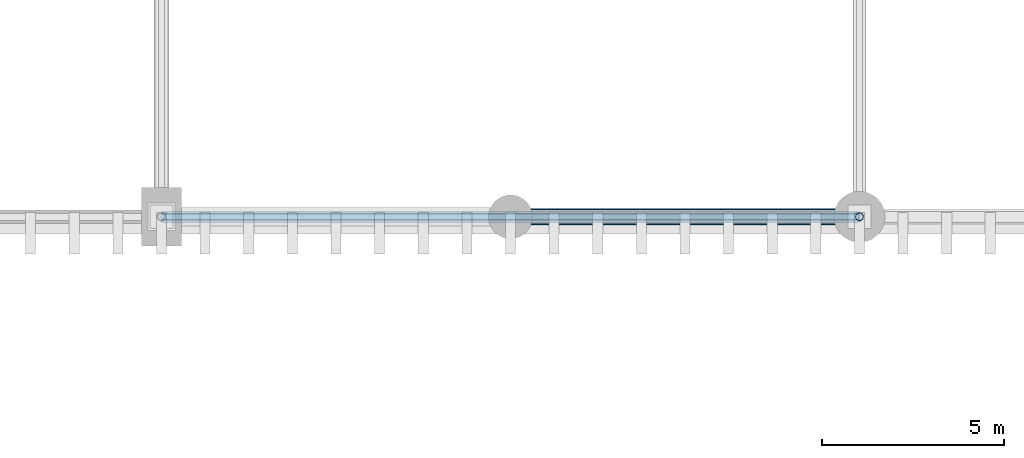
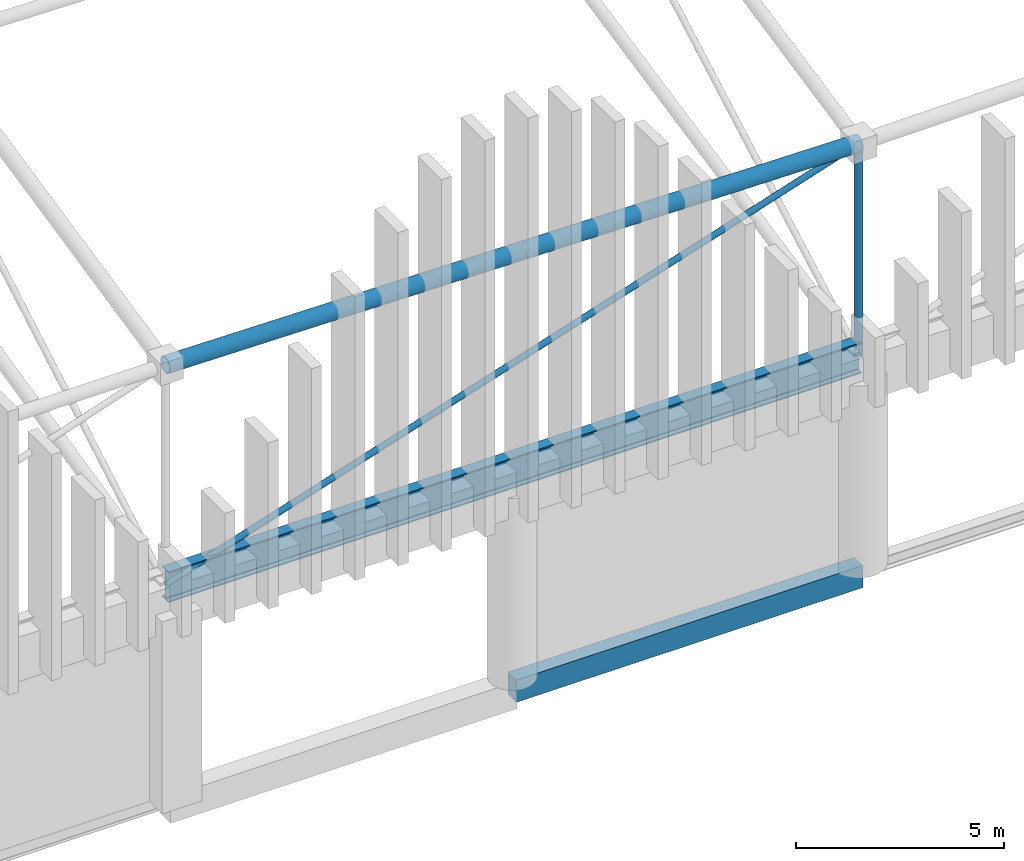
# One storey, part 35 of 193: 3 members, 2 beams.
"""IFC4 building model written with IfcOpenShell, lengths in metres."""

from ifc_helpers import new_model, si_unit, direction, frame, origin, origin_2d, place, context, subcontext, project, spatial, rectangle, hollow_circle, i_section, extrude, material, material_profile, profile_set, type_object, element, save


model = new_model("IFC4")

# Units and contexts
model_context = context("Model", 3, precision=1e-05, world=origin(), true_north=direction((0.0, 1.0)))
body_context = subcontext(model_context, "Body", "Model", "MODEL_VIEW")
ifc_project = project(units=[si_unit("LENGTHUNIT", "METRE"), si_unit("AREAUNIT", "SQUARE_METRE"), si_unit("VOLUMEUNIT", "CUBIC_METRE"), si_unit("PLANEANGLEUNIT", "RADIAN"), si_unit("MASSUNIT", "GRAM", prefix="KILO")], contexts=[model_context])

# Site, building, storey
site_placement = place(None, origin())
site = spatial("IfcSite", under=ifc_project, at=site_placement, CompositionType="ELEMENT")
building_placement = place(site_placement, origin())
building = spatial("IfcBuilding", under=site, at=building_placement, Name="Danafjord Basin Convention Centre", CompositionType="ELEMENT")
storey_placement = place(building_placement, frame((0.0, 0.0, 11.39990234375)))
storey = spatial("IfcBuildingStorey", under=building, at=storey_placement, Name="L02", CompositionType="ELEMENT", Elevation=11.39990234375)

# Beams
ifc_material_1 = material(Name="Steel S355", Category="steel")
ifc_material_profile_1 = material_profile(ifc_material_1, i_section(OverallWidth=0.300048828125, OverallDepth=0.89990234375, WebThickness=0.0185546875, FlangeThickness=0.034912109375, FilletRadius=0.030029296875, at=origin_2d()), Name="HEB 900")
ifc_profile_set_1 = profile_set([ifc_material_profile_1], Name="Steel S355")
beam_type_1 = type_object("IfcBeamType", Name="BEAM-BM-HEB900", PredefinedType="BEAM", material=ifc_profile_set_1)
beam_1_placement = place(storey_placement, frame((38.39990234375, 56.0, 6.050048828125), z_axis=(1.0, 0.0, 0.0), x_axis=(0.0, 1.0, 0.0)))
element("IfcBeam", 1, at=beam_1_placement, inside=storey, type_object=beam_type_1, Name="V1 space-frame perimeter ring girder", PredefinedType="BEAM", context=body_context, shape_type="SweptSolid", body=[
    extrude(i_section(OverallWidth=0.300048828125, OverallDepth=0.89990234375, WebThickness=0.0185546875, FlangeThickness=0.034912109375, FilletRadius=0.030029296875, at=origin_2d()), origin(), (0.0, 0.0, 1.0), 19.2001953125),
])
ifc_material_2 = material(Name="Precast concrete C45/55", Category="concrete")
ifc_material_profile_2 = material_profile(ifc_material_2, rectangle(XDim=0.39990234375, YDim=0.64990234375, at=origin_2d()), Name="PCB 400x650")
ifc_profile_set_2 = profile_set([ifc_material_profile_2], Name="Precast concrete C45/55")
beam_type_2 = type_object("IfcBeamType", Name="BEAM-SP-PCB650", PredefinedType="SPANDREL", material=ifc_profile_set_2)
beam_2_placement = place(storey_placement, frame((48.0, 56.0, -0.324951171875), z_axis=(1.0, 0.0, 0.0), x_axis=(0.0, 1.0, 0.0)))
element("IfcBeam", 2, at=beam_2_placement, inside=storey, type_object=beam_type_2, Name="L02 girder SP-PCB650", PredefinedType="SPANDREL", context=body_context, shape_type="SweptSolid", body=[
    extrude(rectangle(XDim=0.39990234375, YDim=0.64990234375, at=origin_2d()), origin(), (0.0, 0.0, 1.0), 9.60009765625),
])

# Members
ifc_material_profile_3 = material_profile(ifc_material_1, hollow_circle(Radius=0.228515625, WallThickness=0.02001953125, at=origin_2d()), Name="CHS 457.0x20.0")
ifc_profile_set_3 = profile_set([ifc_material_profile_3], Name="Steel S355")
member_type_1 = type_object("IfcMemberType", Name="MEM-CH-CHS457", PredefinedType="CHORD", material=ifc_profile_set_3)
member_1_placement = place(storey_placement, frame((38.39990234375, 56.0, 12.47509765625), z_axis=(0.999931284313, 0.0, -0.0117229114), x_axis=(0.0, 1.0, 0.0)))
element("IfcMember", 3, at=member_1_placement, inside=storey, type_object=member_type_1, Name="V1 roof truss longitudinal top chord", PredefinedType="CHORD", context=body_context, shape_type="SweptSolid", body=[
    extrude(hollow_circle(Radius=0.228515625, WallThickness=0.02001953125, at=origin_2d()), origin(), (0.0, 0.0, 1.0), 19.201416015625),
])
ifc_material_profile_4 = material_profile(ifc_material_1, hollow_circle(Radius=0.109619140625, WallThickness=0.010009765625, at=origin_2d()), Name="CHS 219.1x10.0")
ifc_profile_set_4 = profile_set([ifc_material_profile_4], Name="Steel S355")
member_type_2 = type_object("IfcMemberType", Name="MEM-ST-CHS219", PredefinedType="STRUT", material=ifc_profile_set_4)
member_2_placement = place(storey_placement, frame((57.60009765625, 56.0, 6.050048828125), z_axis=(0.0, 0.0, 1.0), x_axis=(1.0, 0.0, 0.0)))
element("IfcMember", 4, at=member_2_placement, inside=storey, type_object=member_type_2, Name="V1 roof truss vertical strut", PredefinedType="STRUT", context=body_context, shape_type="SweptSolid", body=[
    extrude(hollow_circle(Radius=0.109619140625, WallThickness=0.010009765625, at=origin_2d()), origin(), (0.0, 0.0, 1.0), 6.199951171875),
])
ifc_material_profile_5 = material_profile(ifc_material_1, hollow_circle(Radius=0.084228515625, WallThickness=0.008056640625, at=origin_2d()), Name="CHS 168.3x8.0")
ifc_profile_set_5 = profile_set([ifc_material_profile_5], Name="Steel S355")
member_type_3 = type_object("IfcMemberType", Name="MEM-WB-CHS168", PredefinedType="MEMBER", material=ifc_profile_set_5)
member_3_placement = place(storey_placement, frame((38.39990234375, 56.0, 6.050048828125), z_axis=(0.951616767954, 0.0, 0.307287368677), x_axis=(0.0, 1.0, 0.0)))
element("IfcMember", 5, at=member_3_placement, inside=storey, type_object=member_type_3, Name="V1 space-frame longitudinal web", PredefinedType="MEMBER", context=body_context, shape_type="SweptSolid", body=[
    extrude(hollow_circle(Radius=0.084228515625, WallThickness=0.008056640625, at=origin_2d()), origin(), (0.0, 0.0, 1.0), 20.176513671875),
])

save(model, "model.ifc")
